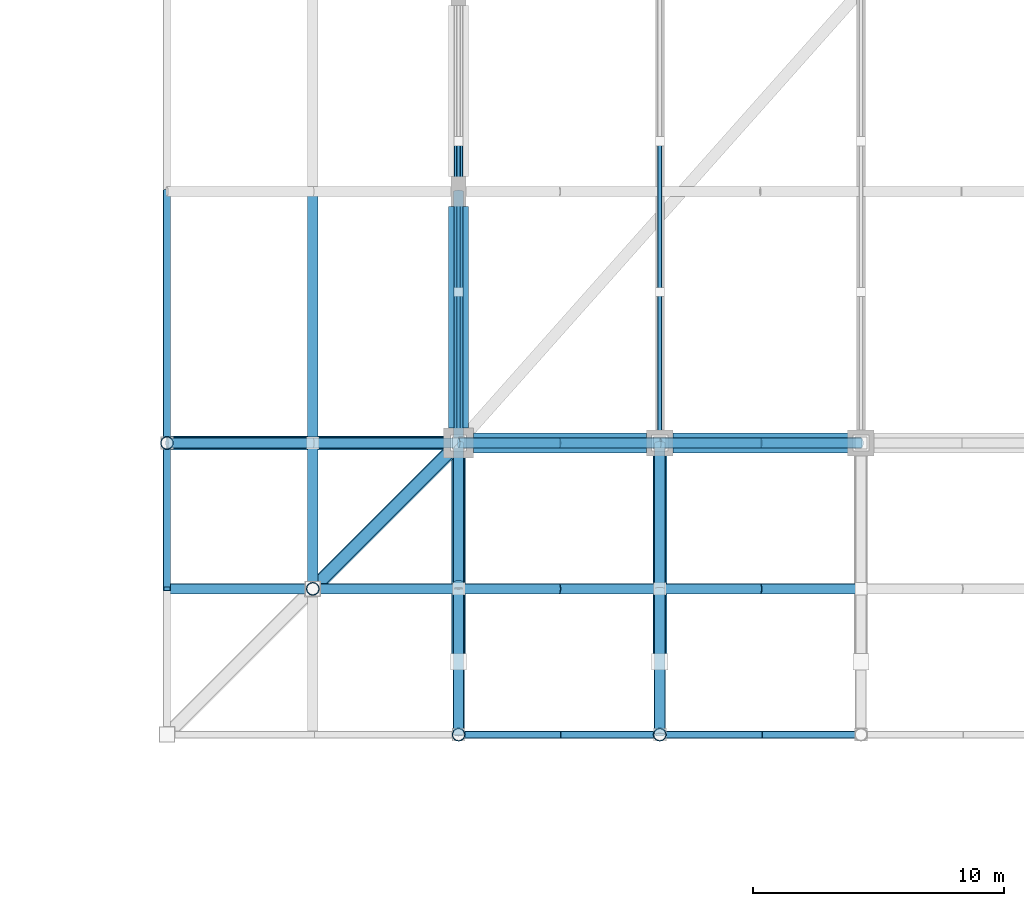
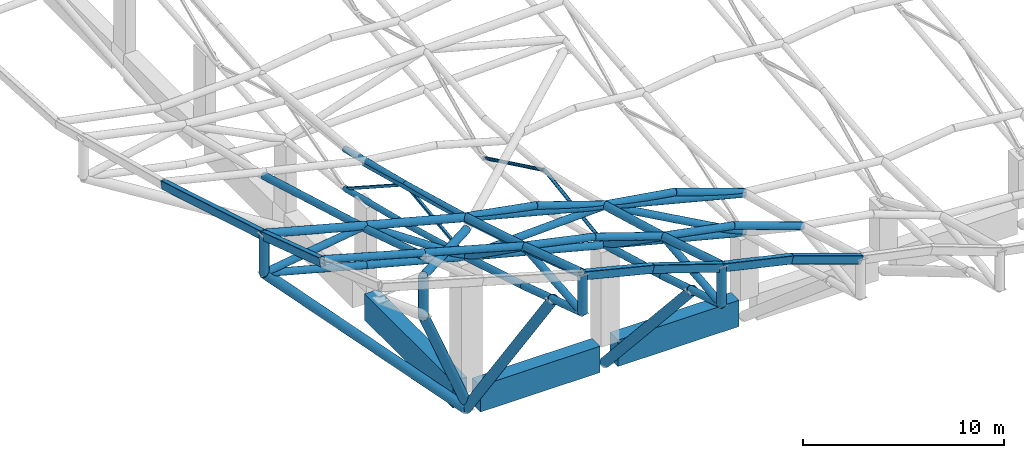
# One storey, part 2 of 75: 56 members, 9 beams.
"""IFC4 building model written with IfcOpenShell, lengths in metres."""

from ifc_helpers import new_model, si_unit, direction, frame, origin, origin_2d, place, context, subcontext, project, spatial, rectangle, hollow_rectangle, hollow_circle, extrude, material, material_profile, profile_set, type_object, element, save


model = new_model("IFC4")

# Units and contexts
model_context = context("Model", 3, precision=1e-05, world=origin(), true_north=direction((0.0, 1.0)))
body_context = subcontext(model_context, "Body", "Model", "MODEL_VIEW")
ifc_project = project(units=[si_unit("LENGTHUNIT", "METRE"), si_unit("AREAUNIT", "SQUARE_METRE"), si_unit("VOLUMEUNIT", "CUBIC_METRE"), si_unit("PLANEANGLEUNIT", "RADIAN"), si_unit("MASSUNIT", "GRAM", prefix="KILO")], contexts=[model_context])

# Site, building, storey
site_placement = place(None, origin())
site = spatial("IfcSite", under=ifc_project, at=site_placement, CompositionType="ELEMENT")
building_placement = place(site_placement, origin())
building = spatial("IfcBuilding", under=site, at=building_placement, Name="Khorjan Park Terminus", CompositionType="ELEMENT")
storey_placement = place(building_placement, frame((0.0, 0.0, 16.2)))
storey = spatial("IfcBuildingStorey", under=building, at=storey_placement, Name="L03", CompositionType="ELEMENT", Elevation=16.2)

# Members
ifc_material_1 = material(Name="Steel S355", Category="steel")
ifc_material_profile_1 = material_profile(ifc_material_1, hollow_circle(Radius=0.0969, WallThickness=0.01, at=origin_2d()), Name="CHS 193.7x10")
ifc_profile_set_1 = profile_set([ifc_material_profile_1], Name="Steel S355")
member_type_1 = type_object("IfcMemberType", Name="MB-BR-194", PredefinedType="BRACE", material=ifc_profile_set_1)
member_1_placement = place(storey_placement, frame((56.0, 26.0, 5.741), z_axis=(0.0, 0.988987074214, 0.148001915656), x_axis=(-1.0, 0.0, 0.0)))
element("IfcMember", 1, at=member_1_placement, inside=storey, type_object=member_type_1, Name="Upper shell fold space-truss web diagonal (2)", PredefinedType="BRACE", context=body_context, shape_type="SweptSolid", body=[
    extrude(hollow_circle(Radius=0.0969, WallThickness=0.01, at=origin_2d()), origin(), (0.0, 0.0, 1.0), 6.0668),
])
member_2_placement = place(storey_placement, frame((56.0, 32.0, 6.6389), z_axis=(0.0, 0.900443010963, -0.434974003829), x_axis=(-1.0, 0.0, 0.0)))
element("IfcMember", 2, at=member_2_placement, inside=storey, type_object=member_type_1, Name="Upper shell fold space-truss web diagonal (2)", PredefinedType="BRACE", context=body_context, shape_type="SweptSolid", body=[
    extrude(hollow_circle(Radius=0.0969, WallThickness=0.01, at=origin_2d()), origin(), (0.0, 0.0, 1.0), 6.6634),
])
ifc_material_profile_2 = material_profile(ifc_material_1, hollow_rectangle(XDim=0.15, YDim=0.15, WallThickness=0.01, InnerFilletRadius=0.01, OuterFilletRadius=0.02, at=origin_2d()), Name="SHS 150x150x10")
ifc_profile_set_2 = profile_set([ifc_material_profile_2], Name="Steel S355")
member_type_2 = type_object("IfcMemberType", Name="MB-BR-SHS150", PredefinedType="BRACE", material=ifc_profile_set_2)
member_3_placement = place(storey_placement, frame((48.0, 26.0, 7.8196), z_axis=(0.0, 0.992247315967, 0.124278976325), x_axis=(-1.0, 0.0, 0.0)))
element("IfcMember", 3, at=member_3_placement, inside=storey, type_object=member_type_2, Name="Upper shell fold space-truss web diagonal (1)", PredefinedType="BRACE", context=body_context, shape_type="SweptSolid", body=[
    extrude(hollow_rectangle(XDim=0.15, YDim=0.15, WallThickness=0.01, InnerFilletRadius=0.01, OuterFilletRadius=0.02, at=origin_2d()), origin(), (0.0, 0.0, 1.0), 6.0469),
])
member_4_placement = place(storey_placement, frame((48.0, 32.0, 8.5711), z_axis=(0.0, 0.839222492699, -0.543788201186), x_axis=(-1.0, 0.0, 0.0)))
element("IfcMember", 4, at=member_4_placement, inside=storey, type_object=member_type_2, Name="Upper shell fold space-truss web diagonal (1)", PredefinedType="BRACE", context=body_context, shape_type="SweptSolid", body=[
    extrude(hollow_rectangle(XDim=0.15, YDim=0.15, WallThickness=0.01, InnerFilletRadius=0.01, OuterFilletRadius=0.02, at=origin_2d()), origin(), (0.0, 0.0, 1.0), 7.1495),
])
ifc_material_profile_3 = material_profile(ifc_material_1, hollow_circle(Radius=0.162, WallThickness=0.0125, at=origin_2d()), Name="CHS 323.9x12.5")
ifc_profile_set_3 = profile_set([ifc_material_profile_3], Name="Steel S355")
member_type_3 = type_object("IfcMemberType", Name="MB-CH-324", PredefinedType="CHORD", material=ifc_profile_set_3)
member_5_placement = place(storey_placement, frame((48.0, 26.0, 7.8196), z_axis=(0.0, 0.964266999163, -0.26493235802), x_axis=(-1.0, 0.0, 0.0)))
element("IfcMember", 5, at=member_5_placement, inside=storey, type_object=member_type_3, Name="Upper shell fold space-truss bottom chord (1)", PredefinedType="CHORD", context=body_context, shape_type="SweptSolid", body=[
    extrude(hollow_circle(Radius=0.162, WallThickness=0.0125, at=origin_2d()), origin(), (0.0, 0.0, 1.0), 6.2223),
])
member_6_placement = place(storey_placement, frame((48.0, 32.0, 6.1711), z_axis=(0.0, 0.970605089876, -0.240677708786), x_axis=(-1.0, 0.0, 0.0)))
element("IfcMember", 6, at=member_6_placement, inside=storey, type_object=member_type_3, Name="Upper shell fold space-truss bottom chord (1)", PredefinedType="CHORD", context=body_context, shape_type="SweptSolid", body=[
    extrude(hollow_circle(Radius=0.162, WallThickness=0.0125, at=origin_2d()), origin(), (0.0, 0.0, 1.0), 6.1817),
])
ifc_material_profile_4 = material_profile(ifc_material_1, hollow_circle(Radius=0.1778, WallThickness=0.016, at=origin_2d()), Name="CHS 355.6x16")
ifc_profile_set_4 = profile_set([ifc_material_profile_4], Name="Steel S355")
member_type_4 = type_object("IfcMemberType", Name="MB-CH-356", PredefinedType="CHORD", material=ifc_profile_set_4)
member_7_placement = place(storey_placement, frame((48.0, 26.0, 10.2196), z_axis=(0.0, 0.964266999163, -0.26493235802), x_axis=(-1.0, 0.0, 0.0)))
element("IfcMember", 7, at=member_7_placement, inside=storey, type_object=member_type_4, Name="Upper shell fold space-truss top chord (1)", PredefinedType="CHORD", context=body_context, shape_type="SweptSolid", body=[
    extrude(hollow_circle(Radius=0.1778, WallThickness=0.016, at=origin_2d()), origin(), (0.0, 0.0, 1.0), 6.2223),
])
member_8_placement = place(storey_placement, frame((48.0, 32.0, 8.5711), z_axis=(0.0, 0.970605089876, -0.240677708786), x_axis=(-1.0, 0.0, 0.0)))
element("IfcMember", 8, at=member_8_placement, inside=storey, type_object=member_type_4, Name="Upper shell fold space-truss top chord (1)", PredefinedType="CHORD", context=body_context, shape_type="SweptSolid", body=[
    extrude(hollow_circle(Radius=0.1778, WallThickness=0.016, at=origin_2d()), origin(), (0.0, 0.0, 1.0), 6.1817),
])
ifc_material_profile_5 = material_profile(ifc_material_1, hollow_circle(Radius=0.2032, WallThickness=0.016, at=origin_2d()), Name="CHS 406.4x16")
ifc_profile_set_5 = profile_set([ifc_material_profile_5], Name="Steel S355")
member_type_5 = type_object("IfcMemberType", Name="MB-CH-406", PredefinedType="CHORD", material=ifc_profile_set_5)
member_9_placement = place(storey_placement, frame((48.0, 26.0, 7.8196), z_axis=(0.967863743129, 0.0, -0.251475197059), x_axis=(0.0, 1.0, 0.0)))
element("IfcMember", 9, at=member_9_placement, inside=storey, type_object=member_type_5, Name="Upper shell longitudinal truss bottom chord (W1)", PredefinedType="CHORD", context=body_context, shape_type="SweptSolid", body=[
    extrude(hollow_circle(Radius=0.2032, WallThickness=0.016, at=origin_2d()), origin(), (0.0, 0.0, 1.0), 8.2656),
])
member_10_placement = place(storey_placement, frame((56.0, 26.0, 5.741), z_axis=(0.968840831893, 0.0, -0.247684158673), x_axis=(0.0, 1.0, 0.0)))
element("IfcMember", 10, at=member_10_placement, inside=storey, type_object=member_type_5, Name="Upper shell longitudinal truss bottom chord (W1)", PredefinedType="CHORD", context=body_context, shape_type="SweptSolid", body=[
    extrude(hollow_circle(Radius=0.2032, WallThickness=0.016, at=origin_2d()), origin(), (0.0, 0.0, 1.0), 8.2573),
])
ifc_material_profile_6 = material_profile(ifc_material_1, hollow_circle(Radius=0.2285, WallThickness=0.016, at=origin_2d()), Name="CHS 457x16")
ifc_profile_set_6 = profile_set([ifc_material_profile_6], Name="Steel S355")
member_type_6 = type_object("IfcMemberType", Name="MB-CH-457", PredefinedType="CHORD", material=ifc_profile_set_6)
member_11_placement = place(storey_placement, frame((48.0, 26.0, 10.2196), z_axis=(0.967863743129, 0.0, -0.251475197059), x_axis=(0.0, 1.0, 0.0)))
element("IfcMember", 11, at=member_11_placement, inside=storey, type_object=member_type_6, Name="Upper shell longitudinal truss top chord (W1)", PredefinedType="CHORD", context=body_context, shape_type="SweptSolid", body=[
    extrude(hollow_circle(Radius=0.2285, WallThickness=0.016, at=origin_2d()), origin(), (0.0, 0.0, 1.0), 8.2656),
])
member_12_placement = place(storey_placement, frame((56.0, 26.0, 8.141), z_axis=(0.968840831893, 0.0, -0.247684158673), x_axis=(0.0, 1.0, 0.0)))
element("IfcMember", 12, at=member_12_placement, inside=storey, type_object=member_type_6, Name="Upper shell longitudinal truss top chord (W1)", PredefinedType="CHORD", context=body_context, shape_type="SweptSolid", body=[
    extrude(hollow_circle(Radius=0.2285, WallThickness=0.016, at=origin_2d()), origin(), (0.0, 0.0, 1.0), 8.2573),
])
ifc_material_profile_7 = material_profile(ifc_material_1, hollow_circle(Radius=0.2032, WallThickness=0.016, at=origin_2d()), Name="CHS 406.4x16")
ifc_profile_set_7 = profile_set([ifc_material_profile_7], Name="Steel S355")
member_type_7 = type_object("IfcMemberType", Name="MB-CHE-406", PredefinedType="CHORD", material=ifc_profile_set_7)
member_13_placement = place(storey_placement, frame((42.2, 20.2, 13.4047), z_axis=(0.0, 0.953789220294, -0.300476493676), x_axis=(-1.0, 0.0, 0.0)))
element("IfcMember", 13, at=member_13_placement, inside=storey, type_object=member_type_7, Name="Upper shell overhang fold purlin TCE-41 (Y2)", PredefinedType="CHORD", context=body_context, shape_type="SweptSolid", body=[
    extrude(hollow_circle(Radius=0.2032, WallThickness=0.016, at=origin_2d()), origin(), (0.0, 0.0, 1.0), 6.081),
])
member_14_placement = place(storey_placement, frame((42.2, 26.0, 11.5775), z_axis=(0.0, 0.960721582771, -0.277514036399), x_axis=(-1.0, 0.0, 0.0)))
element("IfcMember", 14, at=member_14_placement, inside=storey, type_object=member_type_7, Name="Upper shell overhang fold purlin TCE-41 (Y3)", PredefinedType="CHORD", context=body_context, shape_type="SweptSolid", body=[
    extrude(hollow_circle(Radius=0.2032, WallThickness=0.016, at=origin_2d()), origin(), (0.0, 0.0, 1.0), 10.4088),
])
member_15_placement = place(storey_placement, frame((48.0, 14.4, 13.7621), z_axis=(0.0, 0.950488250775, -0.310760494818), x_axis=(-1.0, 0.0, 0.0)))
element("IfcMember", 15, at=member_15_placement, inside=storey, type_object=member_type_7, Name="Upper shell overhang fold purlin TCE-41 (Y11)", PredefinedType="CHORD", context=body_context, shape_type="SweptSolid", body=[
    extrude(hollow_circle(Radius=0.2032, WallThickness=0.016, at=origin_2d()), origin(), (0.0, 0.0, 1.0), 6.1021),
])
member_16_placement = place(storey_placement, frame((48.0, 20.2, 11.8658), z_axis=(0.0, 0.95754410517, -0.288286813181), x_axis=(-1.0, 0.0, 0.0)))
element("IfcMember", 16, at=member_16_placement, inside=storey, type_object=member_type_7, Name="Upper shell overhang fold purlin TCE-41 (Y12)", PredefinedType="CHORD", context=body_context, shape_type="SweptSolid", body=[
    extrude(hollow_circle(Radius=0.2032, WallThickness=0.016, at=origin_2d()), origin(), (0.0, 0.0, 1.0), 6.0572),
])
member_17_placement = place(storey_placement, frame((48.0, 26.0, 10.1196), z_axis=(0.0, 0.966438351588, -0.256898642619), x_axis=(-1.0, 0.0, 0.0)))
element("IfcMember", 17, at=member_17_placement, inside=storey, type_object=member_type_7, Name="Upper shell overhang fold purlin TCE-41 (Y13)", PredefinedType="CHORD", context=body_context, shape_type="SweptSolid", body=[
    extrude(hollow_circle(Radius=0.2032, WallThickness=0.016, at=origin_2d()), origin(), (0.0, 0.0, 1.0), 10.3473),
])
member_18_placement = place(storey_placement, frame((36.4, 20.2, 15.2323), z_axis=(0.963239486929, 0.0, -0.268644171389), x_axis=(0.0, 1.0, 0.0)))
element("IfcMember", 18, at=member_18_placement, inside=storey, type_object=member_type_7, Name="Upper shell fold rib chord (41)", PredefinedType="CHORD", context=body_context, shape_type="SweptSolid", body=[
    extrude(hollow_circle(Radius=0.2032, WallThickness=0.016, at=origin_2d()), origin(), (0.0, 0.0, 1.0), 6.0213),
])
member_19_placement = place(storey_placement, frame((42.2, 20.2, 13.6147), z_axis=(0.963612582455, 0.0, -0.267302807571), x_axis=(0.0, 1.0, 0.0)))
element("IfcMember", 19, at=member_19_placement, inside=storey, type_object=member_type_7, Name="Upper shell fold rib chord (42)", PredefinedType="CHORD", context=body_context, shape_type="SweptSolid", body=[
    extrude(hollow_circle(Radius=0.2032, WallThickness=0.016, at=origin_2d()), origin(), (0.0, 0.0, 1.0), 6.019),
])
member_20_placement = place(storey_placement, frame((48.0, 20.2, 12.0058), z_axis=(0.977371995553, 0.0, -0.211527734137), x_axis=(0.0, 1.0, 0.0)))
element("IfcMember", 20, at=member_20_placement, inside=storey, type_object=member_type_7, Name="Upper shell fold rib chord (43)", PredefinedType="CHORD", context=body_context, shape_type="SweptSolid", body=[
    extrude(hollow_circle(Radius=0.2032, WallThickness=0.016, at=origin_2d()), origin(), (0.0, 0.0, 1.0), 4.0926),
])
member_21_placement = place(storey_placement, frame((52.0, 20.2, 11.1401), z_axis=(0.948279508814, 0.0, -0.317436565575), x_axis=(0.0, 1.0, 0.0)))
element("IfcMember", 21, at=member_21_placement, inside=storey, type_object=member_type_7, Name="Upper shell fold rib chord (44)", PredefinedType="CHORD", context=body_context, shape_type="SweptSolid", body=[
    extrude(hollow_circle(Radius=0.2032, WallThickness=0.016, at=origin_2d()), origin(), (0.0, 0.0, 1.0), 4.2182),
])
member_22_placement = place(storey_placement, frame((56.0, 20.2, 9.8011), z_axis=(0.981807019959, 0.0, -0.18988147766), x_axis=(0.0, 1.0, 0.0)))
element("IfcMember", 22, at=member_22_placement, inside=storey, type_object=member_type_7, Name="Upper shell fold rib chord (45)", PredefinedType="CHORD", context=body_context, shape_type="SweptSolid", body=[
    extrude(hollow_circle(Radius=0.2032, WallThickness=0.016, at=origin_2d()), origin(), (0.0, 0.0, 1.0), 4.0741),
])
member_23_placement = place(storey_placement, frame((60.0, 20.2, 9.0275), z_axis=(0.942795230781, 0.0, -0.333372393604), x_axis=(0.0, 1.0, 0.0)))
element("IfcMember", 23, at=member_23_placement, inside=storey, type_object=member_type_7, Name="Upper shell fold rib chord (46)", PredefinedType="CHORD", context=body_context, shape_type="SweptSolid", body=[
    extrude(hollow_circle(Radius=0.2032, WallThickness=0.016, at=origin_2d()), origin(), (0.0, 0.0, 1.0), 4.2427),
])
member_24_placement = place(storey_placement, frame((48.0, 26.0, 10.2596), z_axis=(0.983790717148, 0.0, -0.179320452968), x_axis=(0.0, 1.0, 0.0)))
element("IfcMember", 24, at=member_24_placement, inside=storey, type_object=member_type_7, Name="Upper shell fold rib chord (67)", PredefinedType="CHORD", context=body_context, shape_type="SweptSolid", body=[
    extrude(hollow_circle(Radius=0.2032, WallThickness=0.016, at=origin_2d()), origin(), (0.0, 0.0, 1.0), 4.0659),
])
member_25_placement = place(storey_placement, frame((52.0, 26.0, 9.5305), z_axis=(0.947528159205, 0.0, -0.319672312712), x_axis=(0.0, 1.0, 0.0)))
element("IfcMember", 25, at=member_25_placement, inside=storey, type_object=member_type_7, Name="Upper shell fold rib chord (68)", PredefinedType="CHORD", context=body_context, shape_type="SweptSolid", body=[
    extrude(hollow_circle(Radius=0.2032, WallThickness=0.016, at=origin_2d()), origin(), (0.0, 0.0, 1.0), 4.2215),
])
member_26_placement = place(storey_placement, frame((56.0, 26.0, 8.181), z_axis=(0.987872255403, 0.0, -0.155268821743), x_axis=(0.0, 1.0, 0.0)))
element("IfcMember", 26, at=member_26_placement, inside=storey, type_object=member_type_7, Name="Upper shell fold rib chord (69)", PredefinedType="CHORD", context=body_context, shape_type="SweptSolid", body=[
    extrude(hollow_circle(Radius=0.2032, WallThickness=0.016, at=origin_2d()), origin(), (0.0, 0.0, 1.0), 4.0491),
])
member_27_placement = place(storey_placement, frame((60.0, 26.0, 7.5523), z_axis=(0.942639584618, 0.0, -0.333812242903), x_axis=(0.0, 1.0, 0.0)))
element("IfcMember", 27, at=member_27_placement, inside=storey, type_object=member_type_7, Name="Upper shell fold rib chord (70)", PredefinedType="CHORD", context=body_context, shape_type="SweptSolid", body=[
    extrude(hollow_circle(Radius=0.2032, WallThickness=0.016, at=origin_2d()), origin(), (0.0, 0.0, 1.0), 4.2434),
])
member_28_placement = place(storey_placement, frame((48.0, 14.4, 11.4621), z_axis=(0.0, 0.950488250775, -0.310760494818), x_axis=(-1.0, 0.0, 0.0)))
element("IfcMember", 28, at=member_28_placement, inside=storey, type_object=member_type_7, Name="Upper shell fold space-truss bottom chord (1)", PredefinedType="CHORD", context=body_context, shape_type="SweptSolid", body=[
    extrude(hollow_circle(Radius=0.2032, WallThickness=0.016, at=origin_2d()), origin(), (0.0, 0.0, 1.0), 6.1021),
])
member_29_placement = place(storey_placement, frame((48.0, 20.2, 9.5658), z_axis=(0.0, 0.95754410517, -0.288286813181), x_axis=(-1.0, 0.0, 0.0)))
element("IfcMember", 29, at=member_29_placement, inside=storey, type_object=member_type_7, Name="Upper shell fold space-truss bottom chord (1)", PredefinedType="CHORD", context=body_context, shape_type="SweptSolid", body=[
    extrude(hollow_circle(Radius=0.2032, WallThickness=0.016, at=origin_2d()), origin(), (0.0, 0.0, 1.0), 6.0572),
])
member_30_placement = place(storey_placement, frame((56.0, 14.4, 9.1463), z_axis=(0.0, 0.955751926517, -0.294173851589), x_axis=(-1.0, 0.0, 0.0)))
element("IfcMember", 30, at=member_30_placement, inside=storey, type_object=member_type_7, Name="Upper shell fold space-truss bottom chord (2)", PredefinedType="CHORD", context=body_context, shape_type="SweptSolid", body=[
    extrude(hollow_circle(Radius=0.2032, WallThickness=0.016, at=origin_2d()), origin(), (0.0, 0.0, 1.0), 6.0685),
])
member_31_placement = place(storey_placement, frame((56.0, 20.2, 7.3611), z_axis=(0.0, 0.963131983886, -0.269029332258), x_axis=(-1.0, 0.0, 0.0)))
element("IfcMember", 31, at=member_31_placement, inside=storey, type_object=member_type_7, Name="Upper shell fold space-truss bottom chord (2)", PredefinedType="CHORD", context=body_context, shape_type="SweptSolid", body=[
    extrude(hollow_circle(Radius=0.2032, WallThickness=0.016, at=origin_2d()), origin(), (0.0, 0.0, 1.0), 6.022),
])
member_32_placement = place(storey_placement, frame((36.4, 26.0, 10.8929), z_axis=(0.96628745768, 0.0, -0.257465627086), x_axis=(0.0, 1.0, 0.0)))
element("IfcMember", 32, at=member_32_placement, inside=storey, type_object=member_type_7, Name="Upper shell longitudinal truss bottom chord (W1)", PredefinedType="CHORD", context=body_context, shape_type="SweptSolid", body=[
    extrude(hollow_circle(Radius=0.2032, WallThickness=0.016, at=origin_2d()), origin(), (0.0, 0.0, 1.0), 6.0024),
])
member_33_placement = place(storey_placement, frame((42.2, 26.0, 9.3475), z_axis=(0.967009499939, 0.0, -0.254740312923), x_axis=(0.0, 1.0, 0.0)))
element("IfcMember", 33, at=member_33_placement, inside=storey, type_object=member_type_7, Name="Upper shell longitudinal truss bottom chord (W1)", PredefinedType="CHORD", context=body_context, shape_type="SweptSolid", body=[
    extrude(hollow_circle(Radius=0.2032, WallThickness=0.016, at=origin_2d()), origin(), (0.0, 0.0, 1.0), 5.9979),
])
ifc_material_profile_8 = material_profile(ifc_material_1, hollow_circle(Radius=0.2285, WallThickness=0.016, at=origin_2d()), Name="CHS 457x16")
ifc_profile_set_8 = profile_set([ifc_material_profile_8], Name="Steel S355")
member_type_8 = type_object("IfcMemberType", Name="MB-CHE-457", PredefinedType="CHORD", material=ifc_profile_set_8)
member_34_placement = place(storey_placement, frame((48.0, 14.4, 13.8621), z_axis=(0.0, 0.950488250775, -0.310760494818), x_axis=(-1.0, 0.0, 0.0)))
element("IfcMember", 34, at=member_34_placement, inside=storey, type_object=member_type_8, Name="Upper shell fold space-truss top chord (1)", PredefinedType="CHORD", context=body_context, shape_type="SweptSolid", body=[
    extrude(hollow_circle(Radius=0.2285, WallThickness=0.016, at=origin_2d()), origin(), (0.0, 0.0, 1.0), 6.1021),
])
member_35_placement = place(storey_placement, frame((48.0, 20.2, 11.9658), z_axis=(0.0, 0.95754410517, -0.288286813181), x_axis=(-1.0, 0.0, 0.0)))
element("IfcMember", 35, at=member_35_placement, inside=storey, type_object=member_type_8, Name="Upper shell fold space-truss top chord (1)", PredefinedType="CHORD", context=body_context, shape_type="SweptSolid", body=[
    extrude(hollow_circle(Radius=0.2285, WallThickness=0.016, at=origin_2d()), origin(), (0.0, 0.0, 1.0), 6.0572),
])
member_36_placement = place(storey_placement, frame((56.0, 14.4, 11.5463), z_axis=(0.0, 0.955751926517, -0.294173851589), x_axis=(-1.0, 0.0, 0.0)))
element("IfcMember", 36, at=member_36_placement, inside=storey, type_object=member_type_8, Name="Upper shell fold space-truss top chord (2)", PredefinedType="CHORD", context=body_context, shape_type="SweptSolid", body=[
    extrude(hollow_circle(Radius=0.2285, WallThickness=0.016, at=origin_2d()), origin(), (0.0, 0.0, 1.0), 6.0685),
])
member_37_placement = place(storey_placement, frame((56.0, 20.2, 9.7611), z_axis=(0.0, 0.963131983886, -0.269029332258), x_axis=(-1.0, 0.0, 0.0)))
element("IfcMember", 37, at=member_37_placement, inside=storey, type_object=member_type_8, Name="Upper shell fold space-truss top chord (2)", PredefinedType="CHORD", context=body_context, shape_type="SweptSolid", body=[
    extrude(hollow_circle(Radius=0.2285, WallThickness=0.016, at=origin_2d()), origin(), (0.0, 0.0, 1.0), 6.022),
])
member_38_placement = place(storey_placement, frame((36.4, 26.0, 13.2929), z_axis=(0.96628745768, 0.0, -0.257465627086), x_axis=(0.0, 1.0, 0.0)))
element("IfcMember", 38, at=member_38_placement, inside=storey, type_object=member_type_8, Name="Upper shell longitudinal truss top chord (W1)", PredefinedType="CHORD", context=body_context, shape_type="SweptSolid", body=[
    extrude(hollow_circle(Radius=0.2285, WallThickness=0.016, at=origin_2d()), origin(), (0.0, 0.0, 1.0), 6.0024),
])
member_39_placement = place(storey_placement, frame((42.2, 26.0, 11.7475), z_axis=(0.967009499939, 0.0, -0.254740312923), x_axis=(0.0, 1.0, 0.0)))
element("IfcMember", 39, at=member_39_placement, inside=storey, type_object=member_type_8, Name="Upper shell longitudinal truss top chord (W1)", PredefinedType="CHORD", context=body_context, shape_type="SweptSolid", body=[
    extrude(hollow_circle(Radius=0.2285, WallThickness=0.016, at=origin_2d()), origin(), (0.0, 0.0, 1.0), 5.9979),
])
member_40_placement = place(storey_placement, frame((48.0, 26.0, 9.4496), z_axis=(-0.6703049189, -0.6703049189, 0.318406393459), x_axis=(0.707106781187, -0.707106781187, 0.0)))
element("IfcMember", 40, at=member_40_placement, inside=storey, type_object=member_type_8, Name="Upper shell upturned corner spine truss TCE-46 (SW)", PredefinedType="CHORD", context=body_context, shape_type="SweptSolid", body=[
    extrude(hollow_circle(Radius=0.2285, WallThickness=0.016, at=origin_2d()), origin(), (0.0, 0.0, 1.0), 8.6528),
])
ifc_material_profile_9 = material_profile(ifc_material_1, hollow_circle(Radius=0.2032, WallThickness=0.016, at=origin_2d()), Name="CHS 406.4x16")
ifc_profile_set_9 = profile_set([ifc_material_profile_9], Name="Steel S355")
member_type_9 = type_object("IfcMemberType", Name="MB-ST-406", PredefinedType="STRUT", material=ifc_profile_set_9)
member_41_placement = place(storey_placement, frame((48.0, 26.0, 7.8196), z_axis=(0.999193960286, 0.0, 0.040142617354), x_axis=(0.0, 1.0, 0.0)))
element("IfcMember", 41, at=member_41_placement, inside=storey, type_object=member_type_9, Name="Upper shell longitudinal truss diagonal (W1)", PredefinedType="STRUT", context=body_context, shape_type="SweptSolid", body=[
    extrude(hollow_circle(Radius=0.2032, WallThickness=0.016, at=origin_2d()), origin(), (0.0, 0.0, 1.0), 8.0065),
])
member_42_placement = place(storey_placement, frame((56.0, 26.0, 8.141), z_axis=(0.874122226492, 0.0, -0.48570601515), x_axis=(0.0, 1.0, 0.0)))
element("IfcMember", 42, at=member_42_placement, inside=storey, type_object=member_type_9, Name="Upper shell longitudinal truss diagonal (W1)", PredefinedType="STRUT", context=body_context, shape_type="SweptSolid", body=[
    extrude(hollow_circle(Radius=0.2032, WallThickness=0.016, at=origin_2d()), origin(), (0.0, 0.0, 1.0), 9.152),
])
ifc_material_profile_10 = material_profile(ifc_material_1, hollow_circle(Radius=0.2795, WallThickness=0.02, at=origin_2d()), Name="CHS 559x20")
ifc_profile_set_10 = profile_set([ifc_material_profile_10], Name="Steel S355")
member_type_10 = type_object("IfcMemberType", Name="MB-ST-CHS559", PredefinedType="STRUT", material=ifc_profile_set_10)
member_43_placement = place(storey_placement, frame((48.0, 26.0, -1.4), z_axis=(0.0, -0.589737657824, 0.807594882936), x_axis=(1.0, 0.0, 0.0)))
element("IfcMember", 43, at=member_43_placement, inside=storey, type_object=member_type_10, Name="Upper shell raked overhang V-strut STE-56 (1S)", PredefinedType="STRUT", context=body_context, shape_type="SweptSolid", body=[
    extrude(hollow_circle(Radius=0.2795, WallThickness=0.02, at=origin_2d()), origin(), (0.0, 0.0, 1.0), 14.7523),
])
member_44_placement = place(storey_placement, frame((56.0, 26.0, -1.4), z_axis=(0.0, -0.669460715614, 0.742847460957), x_axis=(1.0, 0.0, 0.0)))
element("IfcMember", 44, at=member_44_placement, inside=storey, type_object=member_type_10, Name="Upper shell raked overhang V-strut STE-56 (2S)", PredefinedType="STRUT", context=body_context, shape_type="SweptSolid", body=[
    extrude(hollow_circle(Radius=0.2795, WallThickness=0.02, at=origin_2d()), origin(), (0.0, 0.0, 1.0), 12.9955),
])
member_45_placement = place(storey_placement, frame((48.0, 26.0, -1.4), z_axis=(-0.686311971477, 0.0, 0.727307278808), x_axis=(0.0, -1.0, 0.0)))
element("IfcMember", 45, at=member_45_placement, inside=storey, type_object=member_type_10, Name="Upper shell raked longitudinal V-strut STE-56 (W1)", PredefinedType="STRUT", context=body_context, shape_type="SweptSolid", body=[
    extrude(hollow_circle(Radius=0.2795, WallThickness=0.02, at=origin_2d()), origin(), (0.0, 0.0, 1.0), 16.9019),
])
member_46_placement = place(storey_placement, frame((48.0, 26.0, -1.0), z_axis=(-0.427556645148, -0.427556645148, 0.796486428246), x_axis=(0.707106781187, -0.707106781187, 0.0)))
element("IfcMember", 46, at=member_46_placement, inside=storey, type_object=member_type_10, Name="Upper shell upturned corner spine truss STE-56 (SW)", PredefinedType="STRUT", context=body_context, shape_type="SweptSolid", body=[
    extrude(hollow_circle(Radius=0.2795, WallThickness=0.02, at=origin_2d()), origin(), (0.0, 0.0, 1.0), 13.5655),
])
ifc_material_profile_11 = material_profile(ifc_material_1, hollow_circle(Radius=0.2032, WallThickness=0.016, at=origin_2d()), Name="CHS 406.4x16")
ifc_profile_set_11 = profile_set([ifc_material_profile_11], Name="Steel S355")
member_type_11 = type_object("IfcMemberType", Name="MB-STE-406", PredefinedType="STRUT", material=ifc_profile_set_11)
member_47_placement = place(storey_placement, frame((48.0, 14.4, 11.4621), z_axis=(0.0, 0.996250185573, 0.086519175599), x_axis=(-1.0, 0.0, 0.0)))
element("IfcMember", 47, at=member_47_placement, inside=storey, type_object=member_type_11, Name="Upper shell fold space-truss web diagonal (1)", PredefinedType="STRUT", context=body_context, shape_type="SweptSolid", body=[
    extrude(hollow_circle(Radius=0.2032, WallThickness=0.016, at=origin_2d()), origin(), (0.0, 0.0, 1.0), 5.8218),
])
member_48_placement = place(storey_placement, frame((48.0, 20.2, 11.9658), z_axis=(0.0, 0.813511648552, -0.581548620212), x_axis=(-1.0, 0.0, 0.0)))
element("IfcMember", 48, at=member_48_placement, inside=storey, type_object=member_type_11, Name="Upper shell fold space-truss web diagonal (1)", PredefinedType="STRUT", context=body_context, shape_type="SweptSolid", body=[
    extrude(hollow_circle(Radius=0.2032, WallThickness=0.016, at=origin_2d()), origin(), (0.0, 0.0, 1.0), 7.1296),
])
member_49_placement = place(storey_placement, frame((56.0, 14.4, 9.1463), z_axis=(0.0, 0.994428903913, 0.105409463815), x_axis=(-1.0, 0.0, 0.0)))
element("IfcMember", 49, at=member_49_placement, inside=storey, type_object=member_type_11, Name="Upper shell fold space-truss web diagonal (2)", PredefinedType="STRUT", context=body_context, shape_type="SweptSolid", body=[
    extrude(hollow_circle(Radius=0.2032, WallThickness=0.016, at=origin_2d()), origin(), (0.0, 0.0, 1.0), 5.8325),
])
member_50_placement = place(storey_placement, frame((56.0, 20.2, 9.7611), z_axis=(0.0, 0.821879356644, -0.56966158649), x_axis=(-1.0, 0.0, 0.0)))
element("IfcMember", 50, at=member_50_placement, inside=storey, type_object=member_type_11, Name="Upper shell fold space-truss web diagonal (2)", PredefinedType="STRUT", context=body_context, shape_type="SweptSolid", body=[
    extrude(hollow_circle(Radius=0.2032, WallThickness=0.016, at=origin_2d()), origin(), (0.0, 0.0, 1.0), 7.057),
])
member_51_placement = place(storey_placement, frame((36.4, 26.0, 10.8929), z_axis=(0.989318367267, 0.0, 0.145770944253), x_axis=(0.0, 1.0, 0.0)))
element("IfcMember", 51, at=member_51_placement, inside=storey, type_object=member_type_11, Name="Upper shell longitudinal truss diagonal (W1)", PredefinedType="STRUT", context=body_context, shape_type="SweptSolid", body=[
    extrude(hollow_circle(Radius=0.2032, WallThickness=0.016, at=origin_2d()), origin(), (0.0, 0.0, 1.0), 5.8626),
])
member_52_placement = place(storey_placement, frame((42.2, 26.0, 11.7475), z_axis=(0.827993737699, 0.0, -0.560737345226), x_axis=(0.0, 1.0, 0.0)))
element("IfcMember", 52, at=member_52_placement, inside=storey, type_object=member_type_11, Name="Upper shell longitudinal truss diagonal (W1)", PredefinedType="STRUT", context=body_context, shape_type="SweptSolid", body=[
    extrude(hollow_circle(Radius=0.2032, WallThickness=0.016, at=origin_2d()), origin(), (0.0, 0.0, 1.0), 7.0049),
])
ifc_material_profile_12 = material_profile(ifc_material_1, hollow_circle(Radius=0.254, WallThickness=0.02, at=origin_2d()), Name="CHS 508x20")
ifc_profile_set_12 = profile_set([ifc_material_profile_12], Name="Steel S355")
member_type_12 = type_object("IfcMemberType", Name="MB-STE-508", PredefinedType="STRUT", material=ifc_profile_set_12)
for number, where, z_axis, x_axis, name in (
    (53, (48.0, 14.4, 11.4621), (0.0, 0.0, 1.0), (1.0, 0.0, 0.0), "Upper shell overhang tip post STE-51 (1S)"),
    (54, (56.0, 14.4, 9.1463), (0.0, 0.0, 1.0), (1.0, 0.0, 0.0), "Upper shell overhang tip post STE-51 (2S)"),
    (55, (36.4, 26.0, 10.8929), (0.0, 0.0, 1.0), (1.0, 0.0, 0.0), "Upper shell longitudinal tip post (W1)"),
    (56, (42.2, 20.2, 9.8047), (0.0, 0.0, 1.0), (1.0, 0.0, 0.0), "Upper shell upturned corner spine truss STE-51 (SW)"),
):
    element("IfcMember", number, at=place(storey_placement, frame(where, z_axis=z_axis, x_axis=x_axis)), inside=storey, type_object=member_type_12, Name=name, PredefinedType="STRUT", context=body_context, shape_type="SweptSolid", body=[
        extrude(hollow_circle(Radius=0.254, WallThickness=0.02, at=origin_2d()), origin(), (0.0, 0.0, 1.0), 2.4),
    ])

# Beams
ifc_material_2 = material(Name="Concrete C50/60", Category="concrete")
ifc_material_profile_13 = material_profile(ifc_material_2, rectangle(XDim=0.8, YDim=1.6, at=origin_2d()), Name="RC 800x1600")
ifc_profile_set_13 = profile_set([ifc_material_profile_13], Name="Concrete C50/60")
beam_type_1 = type_object("IfcBeamType", Name="SP-RC800x1600", PredefinedType="SPANDREL", material=ifc_profile_set_13)
beam_1_placement = place(storey_placement, frame((48.594, 26.0, -0.8), z_axis=(1.0, 0.0, 0.0), x_axis=(0.0, 1.0, 0.0)))
element("IfcBeam", 57, at=beam_1_placement, inside=storey, type_object=beam_type_1, Name="Concourse colonnade ring beam SP-16 (1)", PredefinedType="SPANDREL", context=body_context, shape_type="SweptSolid", body=[
    extrude(rectangle(XDim=0.8, YDim=1.6, at=origin_2d()), origin(), (0.0, 0.0, 1.0), 6.887),
])
beam_2_placement = place(storey_placement, frame((56.519, 26.0, -0.8), z_axis=(1.0, 0.0, 0.0), x_axis=(0.0, 1.0, 0.0)))
element("IfcBeam", 58, at=beam_2_placement, inside=storey, type_object=beam_type_1, Name="Concourse colonnade ring beam SP-16 (3)", PredefinedType="SPANDREL", context=body_context, shape_type="SweptSolid", body=[
    extrude(rectangle(XDim=0.8, YDim=1.6, at=origin_2d()), origin(), (0.0, 0.0, 1.0), 6.962),
])
beam_3_placement = place(storey_placement, frame((48.0, 26.594, -0.8), z_axis=(0.0, 1.0, 0.0), x_axis=(-1.0, 0.0, 0.0)))
element("IfcBeam", 59, at=beam_3_placement, inside=storey, type_object=beam_type_1, Name="Concourse colonnade ring beam SP-16 (23)", PredefinedType="SPANDREL", context=body_context, shape_type="SweptSolid", body=[
    extrude(rectangle(XDim=0.8, YDim=1.6, at=origin_2d()), origin(), (0.0, 0.0, 1.0), 8.812),
])
ifc_material_profile_14 = material_profile(ifc_material_1, hollow_rectangle(XDim=0.3, YDim=0.5, WallThickness=0.016, InnerFilletRadius=0.016, OuterFilletRadius=0.032, at=origin_2d()), Name="RHS 500x300x16")
ifc_profile_set_14 = profile_set([ifc_material_profile_14], Name="Steel S355")
beam_type_2 = type_object("IfcBeamType", Name="SP-RHS500", PredefinedType="SPANDREL", material=ifc_profile_set_14)
beam_4_placement = place(storey_placement, frame((48.0, 14.4, 13.7621), z_axis=(0.970444295595, 0.0, -0.241325235207), x_axis=(0.0, 1.0, 0.0)))
element("IfcBeam", 60, at=beam_4_placement, inside=storey, type_object=beam_type_2, Name="Upper folded shell upturned perimeter edge beam SP-R50 (3)", PredefinedType="SPANDREL", context=body_context, shape_type="SweptSolid", body=[
    extrude(hollow_rectangle(XDim=0.3, YDim=0.5, WallThickness=0.016, InnerFilletRadius=0.016, OuterFilletRadius=0.032, at=origin_2d()), origin(), (0.0, 0.0, 1.0), 4.1218),
])
beam_5_placement = place(storey_placement, frame((52.0, 14.4, 12.7674), z_axis=(0.949550910694, 0.0, -0.313612927029), x_axis=(0.0, 1.0, 0.0)))
element("IfcBeam", 61, at=beam_5_placement, inside=storey, type_object=beam_type_2, Name="Upper folded shell upturned perimeter edge beam SP-R50 (4)", PredefinedType="SPANDREL", context=body_context, shape_type="SweptSolid", body=[
    extrude(hollow_rectangle(XDim=0.3, YDim=0.5, WallThickness=0.016, InnerFilletRadius=0.016, OuterFilletRadius=0.032, at=origin_2d()), origin(), (0.0, 0.0, 1.0), 4.2125),
])
beam_6_placement = place(storey_placement, frame((56.0, 14.4, 11.4463), z_axis=(0.975032187239, 0.0, -0.222063580644), x_axis=(0.0, 1.0, 0.0)))
element("IfcBeam", 62, at=beam_6_placement, inside=storey, type_object=beam_type_2, Name="Upper folded shell upturned perimeter edge beam SP-R50 (5)", PredefinedType="SPANDREL", context=body_context, shape_type="SweptSolid", body=[
    extrude(hollow_rectangle(XDim=0.3, YDim=0.5, WallThickness=0.016, InnerFilletRadius=0.016, OuterFilletRadius=0.032, at=origin_2d()), origin(), (0.0, 0.0, 1.0), 4.1024),
])
beam_7_placement = place(storey_placement, frame((60.0, 14.4, 10.5353), z_axis=(0.943504791133, 0.0, -0.331358882646), x_axis=(0.0, 1.0, 0.0)))
element("IfcBeam", 63, at=beam_7_placement, inside=storey, type_object=beam_type_2, Name="Upper folded shell upturned perimeter edge beam SP-R50 (6)", PredefinedType="SPANDREL", context=body_context, shape_type="SweptSolid", body=[
    extrude(hollow_rectangle(XDim=0.3, YDim=0.5, WallThickness=0.016, InnerFilletRadius=0.016, OuterFilletRadius=0.032, at=origin_2d()), origin(), (0.0, 0.0, 1.0), 4.2395),
])
beam_8_placement = place(storey_placement, frame((36.4, 20.2, 15.0923), z_axis=(0.0, 0.950338107828, -0.311219345174), x_axis=(-1.0, 0.0, 0.0)))
element("IfcBeam", 64, at=beam_8_placement, inside=storey, type_object=beam_type_2, Name="Upper folded shell upturned perimeter edge beam SP-R50 (54)", PredefinedType="SPANDREL", context=body_context, shape_type="SweptSolid", body=[
    extrude(hollow_rectangle(XDim=0.3, YDim=0.5, WallThickness=0.016, InnerFilletRadius=0.016, OuterFilletRadius=0.032, at=origin_2d()), origin(), (0.0, 0.0, 1.0), 6.1031),
])
beam_9_placement = place(storey_placement, frame((36.4, 26.0, 13.1929), z_axis=(0.0, 0.958512081218, -0.285051907833), x_axis=(-1.0, 0.0, 0.0)))
element("IfcBeam", 65, at=beam_9_placement, inside=storey, type_object=beam_type_2, Name="Upper folded shell upturned perimeter edge beam SP-R50 (55)", PredefinedType="SPANDREL", context=body_context, shape_type="SweptSolid", body=[
    extrude(hollow_rectangle(XDim=0.3, YDim=0.5, WallThickness=0.016, InnerFilletRadius=0.016, OuterFilletRadius=0.032, at=origin_2d()), origin(), (0.0, 0.0, 1.0), 10.4328),
])

save(model, "model.ifc")
